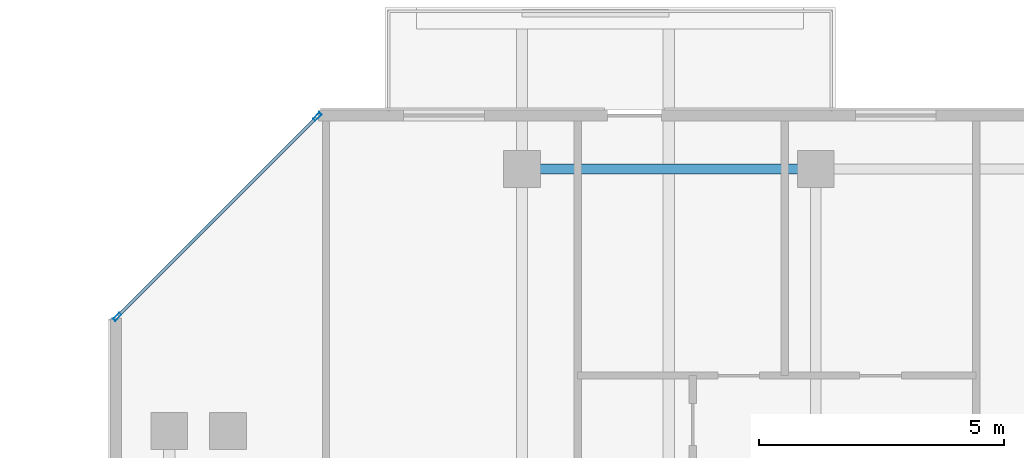
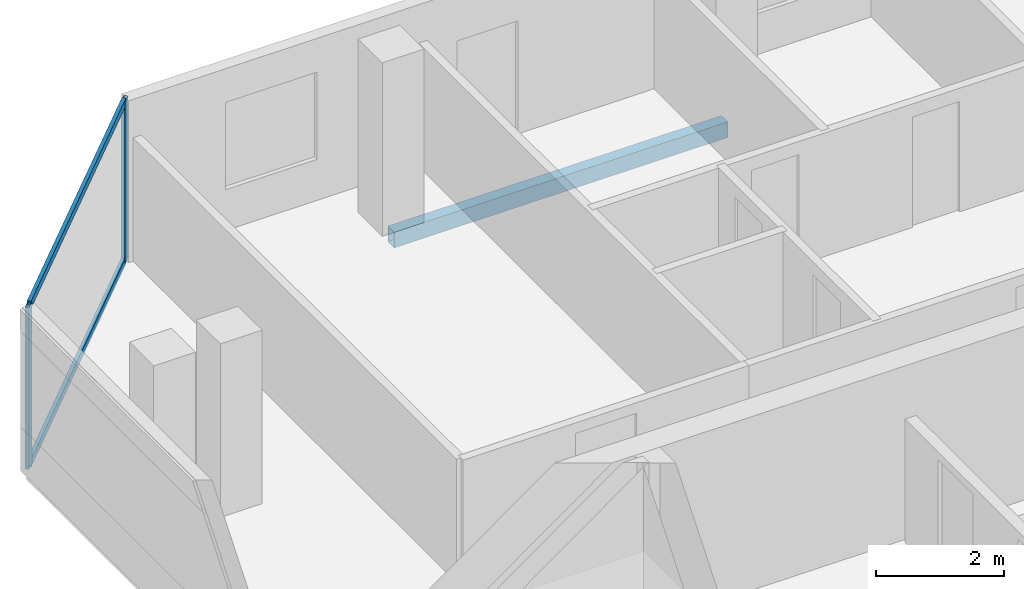
# One storey, part 8 of 28: 4 members, 1 beam, 1 element without a shape of its own.
"""IFC4 building model written with IfcOpenShell, lengths in metres."""

from ifc_helpers import new_model, si_unit, direction, frame, origin, origin_2d, place, context, subcontext, project, spatial, hollow_rectangle, extrude, material, layer, layer_set, material_profile, profile_set, type_object, element, aggregate, save


model = new_model("IFC4")

# Units and contexts
model_context = context("Model", 3, precision=1e-05, world=origin(), true_north=direction((0.0, 1.0)))
body_context = subcontext(model_context, "Body", "Model", "MODEL_VIEW")
ifc_project = project(units=[si_unit("LENGTHUNIT", "METRE"), si_unit("AREAUNIT", "SQUARE_METRE"), si_unit("VOLUMEUNIT", "CUBIC_METRE"), si_unit("PLANEANGLEUNIT", "RADIAN"), si_unit("MASSUNIT", "GRAM", prefix="KILO")], contexts=[model_context])

# Site, building, storey
site_placement = place(None, origin())
site = spatial("IfcSite", under=ifc_project, at=site_placement, CompositionType="ELEMENT")
building_placement = place(site_placement, origin())
building = spatial("IfcBuilding", under=site, at=building_placement, Name="Tanjung Sevakor Pilgrim Tower", CompositionType="ELEMENT")
storey_placement = place(building_placement, frame((0.0, 0.0, 222.75)))
storey = spatial("IfcBuildingStorey", under=building, at=storey_placement, Name="L62", CompositionType="ELEMENT", Elevation=222.75)

# Beam
ifc_material_1 = material(Name="Steel S355J2", Category="steel")
ifc_material_profile_1 = material_profile(ifc_material_1, hollow_rectangle(XDim=0.199951171875, YDim=0.300048828125, WallThickness=0.012451171875, at=origin_2d()))
ifc_profile_set_1 = profile_set([ifc_material_profile_1], Name="Steel S355J2")
beam_type = type_object("IfcBeamType", Name="BM-B-SP3-RHS_300x200x12.5", PredefinedType="SPANDREL", material=ifc_profile_set_1)
beam_placement = place(storey_placement, frame((30.0, 53.949951171875, -0.3701171875), z_axis=(1.0, 0.0, 0.0), x_axis=(0.0, 1.0, 0.0)))
element("IfcBeam", 1, at=beam_placement, inside=storey, type_object=beam_type, Name="L62 Spandrel MAIN N-02", PredefinedType="SPANDREL", context=body_context, shape_type="SweptSolid", body=[
    extrude(hollow_rectangle(XDim=0.199951171875, YDim=0.300048828125, WallThickness=0.012451171875, at=origin_2d()), origin(), (0.0, 0.0, 1.0), 6.0),
])

# Curtain wall, members
ifc_material_2 = material(Name="Aluminium 6063-T6 and Low-E Glass", Category="aluminium")
ifc_layer = layer(ifc_material_2, 0.179931640625)
ifc_layer_set = layer_set([ifc_layer], Name="CW-SYS-CHAM")
curtain_wall_type = type_object("IfcCurtainWallType", Name="CW-SYS-CHAM", PredefinedType="NOTDEFINED", material=ifc_layer_set)
curtain_wall_placement = place(storey_placement, origin())
curtain_wall = element("IfcCurtainWall", 2, at=curtain_wall_placement, inside=storey, type_object=curtain_wall_type, Name="L62 Curtain Wall CW-CHM-L62-MAIN-13", PredefinedType="NOTDEFINED")
ifc_material_3 = material(Name="Aluminium 6063-T6", Category="aluminium")
ifc_material_profile_2 = material_profile(ifc_material_3, hollow_rectangle(XDim=0.06494140625, YDim=0.179931640625, WallThickness=0.00390625, at=origin_2d()))
ifc_profile_set_2 = profile_set([ifc_material_profile_2], Name="Aluminium 6063-T6")
member_type_1 = type_object("IfcMemberType", Name="TYPE-CWM-1", PredefinedType="MULLION", material=ifc_profile_set_2)
member_1_placement = place(storey_placement, frame((25.822509765625, 55.01708984375, 0.0), z_axis=(0.0, 0.0, 1.0), x_axis=(0.707106781187, -0.707106781187, 0.0)))
member_1 = element("IfcMember", 3, at=member_1_placement, type_object=member_type_1, Name="CW-CHM mullion 1", PredefinedType="MULLION", context=body_context, shape_type="SweptSolid", body=[
    extrude(hollow_rectangle(XDim=0.06494140625, YDim=0.179931640625, WallThickness=0.00390625, at=origin_2d()), origin(), (0.0, 0.0, 1.0), 3.080078125),
])
member_2_placement = place(storey_placement, frame((21.73291015625, 50.927490234375, 0.0), z_axis=(0.0, 0.0, 1.0), x_axis=(0.707106781187, -0.707106781187, 0.0)))
member_2 = element("IfcMember", 4, at=member_2_placement, type_object=member_type_1, Name="CW-CHM mullion 2", PredefinedType="MULLION", context=body_context, shape_type="SweptSolid", body=[
    extrude(hollow_rectangle(XDim=0.06494140625, YDim=0.179931640625, WallThickness=0.00390625, at=origin_2d()), origin(), (0.0, 0.0, 1.0), 3.080078125),
])
ifc_material_4 = material(Name="Aluminium 6063-T6", Category="aluminium")
ifc_material_profile_3 = material_profile(ifc_material_4, hollow_rectangle(XDim=0.06494140625, YDim=0.139892578125, WallThickness=0.00390625, at=origin_2d()))
ifc_profile_set_3 = profile_set([ifc_material_profile_3], Name="Aluminium 6063-T6")
member_type_2 = type_object("IfcMemberType", Name="TYPE-CWT-1", PredefinedType="USERDEFINED", material=ifc_profile_set_3)
member_3_placement = place(storey_placement, frame((25.799560546875, 54.994140625, 0.032470703125), z_axis=(-0.707106781187, -0.707106781187, 0.0), x_axis=(0.707106781187, -0.707106781187, 0.0)))
member_3 = element("IfcMember", 5, at=member_3_placement, type_object=member_type_2, Name="CW-CHM transom 1.1", ObjectType="TRANSOM", PredefinedType="USERDEFINED", context=body_context, shape_type="SweptSolid", body=[
    extrude(hollow_rectangle(XDim=0.06494140625, YDim=0.139892578125, WallThickness=0.00390625, at=origin_2d()), origin(), (0.0, 0.0, 1.0), 5.71875),
])
member_4_placement = place(storey_placement, frame((25.799560546875, 54.994140625, 3.047607421875), z_axis=(-0.707106781187, -0.707106781187, 0.0), x_axis=(0.707106781187, -0.707106781187, 0.0)))
member_4 = element("IfcMember", 6, at=member_4_placement, type_object=member_type_2, Name="CW-CHM transom 1.2", ObjectType="TRANSOM", PredefinedType="USERDEFINED", context=body_context, shape_type="SweptSolid", body=[
    extrude(hollow_rectangle(XDim=0.06494140625, YDim=0.139892578125, WallThickness=0.00390625, at=origin_2d()), origin(), (0.0, 0.0, 1.0), 5.71875),
])
aggregate(curtain_wall, [member_1, member_2, member_3, member_4])

save(model, "model.ifc")
